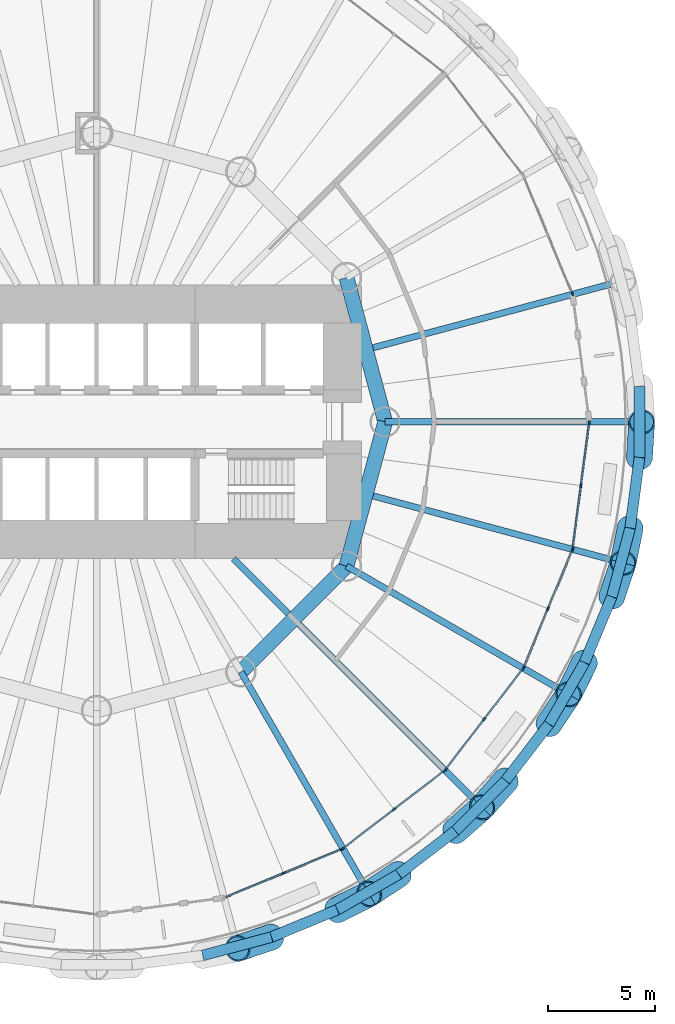
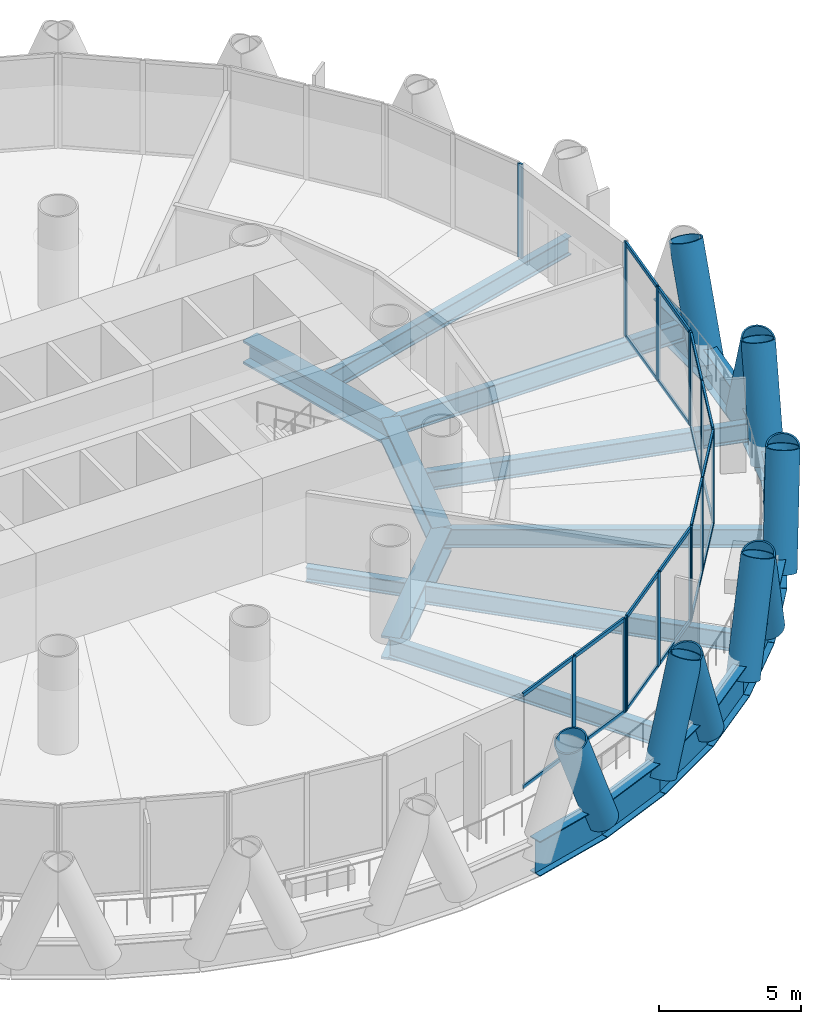
# One storey, part 4 of 15: 45 members, 21 beams, 6 elements without a shape of their own.
"""IFC4 building model written with IfcOpenShell, lengths in metres."""

from ifc_helpers import new_model, si_unit, direction, frame, origin, origin_2d, place, context, subcontext, project, spatial, rectangle, hollow_circle, i_section, extrude, material, material_profile, profile_set, type_object, element, aggregate, save


model = new_model("IFC4")

# Units and contexts
model_context = context("Model", 3, precision=1e-05, world=origin(), true_north=direction((0.0, 1.0)))
body_context = subcontext(model_context, "Body", "Model", "MODEL_VIEW")
ifc_project = project(units=[si_unit("LENGTHUNIT", "METRE"), si_unit("AREAUNIT", "SQUARE_METRE"), si_unit("VOLUMEUNIT", "CUBIC_METRE"), si_unit("PLANEANGLEUNIT", "RADIAN"), si_unit("MASSUNIT", "GRAM", prefix="KILO")], contexts=[model_context])

# Site, building, storey
site_placement = place(None, origin())
site = spatial("IfcSite", under=ifc_project, at=site_placement, CompositionType="ELEMENT")
building_placement = place(site_placement, origin())
building = spatial("IfcBuilding", under=site, at=building_placement, Name="Qaws Media Tower", CompositionType="ELEMENT")
storey_placement = place(building_placement, frame((0.0, 0.0, 72.199951171875)))
storey = spatial("IfcBuildingStorey", under=building, at=storey_placement, Name="L15", CompositionType="ELEMENT", Elevation=72.199951171875)

# Curtain wall, member
ifc_material_1 = material(Name="Aluminium and clear glass", Category="aluminium")
curtain_wall_type = type_object("IfcCurtainWallType", Name="Unitised curtain wall CW-A", PredefinedType="NOTDEFINED", material=ifc_material_1)
curtain_wall_1_placement = place(storey_placement, origin())
curtain_wall_1 = element("IfcCurtainWall", 1, at=curtain_wall_1_placement, inside=storey, type_object=curtain_wall_type, Name="CWA curtain wall L15-02", PredefinedType="NOTDEFINED")
ifc_material_2 = material(Name="Aluminium mullion", Category="aluminium")
ifc_material_profile_1 = material_profile(ifc_material_2, rectangle(XDim=0.080078125, YDim=0.199951171875, at=origin_2d()), Name="80x200")
ifc_profile_set_1 = profile_set([ifc_material_profile_1], Name="Aluminium mullion")
member_type_1 = type_object("IfcMemberType", Name="Curtain wall mullion 80x200", PredefinedType="MULLION", material=ifc_profile_set_1)
member_1_placement = place(storey_placement, frame((82.249267578125, 56.002685546875, 0.0), z_axis=(0.0, 0.0, 1.0), x_axis=(-0.923879575665, -0.382683328183, 0.0)))
member_1 = element("IfcMember", 2, at=member_1_placement, type_object=member_type_1, Name="CWA mullion 1", PredefinedType="MULLION", context=body_context, shape_type="SweptSolid", body=[
    extrude(rectangle(XDim=0.080078125, YDim=0.199951171875, at=origin_2d()), origin(), (0.0, 0.0, 1.0), 4.0400390625),
])
aggregate(curtain_wall_1, [member_1])

# Curtain wall, members
curtain_wall_2_placement = place(storey_placement, origin())
curtain_wall_2 = element("IfcCurtainWall", 3, at=curtain_wall_2_placement, inside=storey, type_object=curtain_wall_type, Name="CWA curtain wall L15-20", PredefinedType="NOTDEFINED")
member_2_placement = place(storey_placement, frame((68.745361328125, 28.88671875, 0.0), z_axis=(0.0, 0.0, 1.0), x_axis=(-0.382683328183, 0.923879575665, 0.0)))
member_2 = element("IfcMember", 4, at=member_2_placement, type_object=member_type_1, Name="CWA mullion 2", PredefinedType="MULLION", context=body_context, shape_type="SweptSolid", body=[
    extrude(rectangle(XDim=0.080078125, YDim=0.199951171875, at=origin_2d()), origin(), (0.0, 0.0, 1.0), 4.0400390625),
])
member_3_placement = place(storey_placement, frame((71.488037109375, 30.022705078125, 0.0), z_axis=(0.0, 0.0, 1.0), x_axis=(-0.382683328183, 0.923879575665, 0.0)))
member_3 = element("IfcMember", 5, at=member_3_placement, type_object=member_type_1, Name="CWA mullion 3", PredefinedType="MULLION", context=body_context, shape_type="SweptSolid", body=[
    extrude(rectangle(XDim=0.080078125, YDim=0.199951171875, at=origin_2d()), origin(), (0.0, 0.0, 1.0), 4.0400390625),
])

curtain_wall_3_placement = place(storey_placement, origin())
curtain_wall_3 = element("IfcCurtainWall", 6, at=curtain_wall_3_placement, inside=storey, type_object=curtain_wall_type, Name="CWA curtain wall L15-21", PredefinedType="NOTDEFINED")
member_4_placement = place(storey_placement, frame((71.556640625, 30.0625, 0.0), z_axis=(0.0, 0.0, 1.0), x_axis=(-0.608761531958, 0.793353261295, 0.0)))
member_4 = element("IfcMember", 7, at=member_4_placement, type_object=member_type_1, Name="CWA mullion 1", PredefinedType="MULLION", context=body_context, shape_type="SweptSolid", body=[
    extrude(rectangle(XDim=0.080078125, YDim=0.199951171875, at=origin_2d()), origin(), (0.0, 0.0, 1.0), 4.0400390625),
])
member_5_placement = place(storey_placement, frame((73.911865234375, 31.86962890625, 0.0), z_axis=(0.0, 0.0, 1.0), x_axis=(-0.608761531958, 0.793353261295, 0.0)))
member_5 = element("IfcMember", 8, at=member_5_placement, type_object=member_type_1, Name="CWA mullion 2", PredefinedType="MULLION", context=body_context, shape_type="SweptSolid", body=[
    extrude(rectangle(XDim=0.080078125, YDim=0.199951171875, at=origin_2d()), origin(), (0.0, 0.0, 1.0), 4.0400390625),
])
member_6_placement = place(storey_placement, frame((76.26708984375, 33.6767578125, 0.0), z_axis=(0.0, 0.0, 1.0), x_axis=(-0.608761531958, 0.793353261295, 0.0)))
member_6 = element("IfcMember", 9, at=member_6_placement, type_object=member_type_1, Name="CWA mullion 3", PredefinedType="MULLION", context=body_context, shape_type="SweptSolid", body=[
    extrude(rectangle(XDim=0.080078125, YDim=0.199951171875, at=origin_2d()), origin(), (0.0, 0.0, 1.0), 4.0400390625),
])

curtain_wall_4_placement = place(storey_placement, origin())
curtain_wall_4 = element("IfcCurtainWall", 10, at=curtain_wall_4_placement, inside=storey, type_object=curtain_wall_type, Name="CWA curtain wall L15-22", PredefinedType="NOTDEFINED")
member_7_placement = place(storey_placement, frame((76.3232421875, 33.73291015625, 0.0), z_axis=(0.0, 0.0, 1.0), x_axis=(-0.793353261295, 0.608761531958, 0.0)))
member_7 = element("IfcMember", 11, at=member_7_placement, type_object=member_type_1, Name="CWA mullion 1", PredefinedType="MULLION", context=body_context, shape_type="SweptSolid", body=[
    extrude(rectangle(XDim=0.080078125, YDim=0.199951171875, at=origin_2d()), origin(), (0.0, 0.0, 1.0), 4.0400390625),
])
member_8_placement = place(storey_placement, frame((78.13037109375, 36.088134765625, 0.0), z_axis=(0.0, 0.0, 1.0), x_axis=(-0.793353261295, 0.608761531958, 0.0)))
member_8 = element("IfcMember", 12, at=member_8_placement, type_object=member_type_1, Name="CWA mullion 2", PredefinedType="MULLION", context=body_context, shape_type="SweptSolid", body=[
    extrude(rectangle(XDim=0.080078125, YDim=0.199951171875, at=origin_2d()), origin(), (0.0, 0.0, 1.0), 4.0400390625),
])
member_9_placement = place(storey_placement, frame((79.9375, 38.443359375, 0.0), z_axis=(0.0, 0.0, 1.0), x_axis=(-0.793353261295, 0.608761531958, 0.0)))
member_9 = element("IfcMember", 13, at=member_9_placement, type_object=member_type_1, Name="CWA mullion 3", PredefinedType="MULLION", context=body_context, shape_type="SweptSolid", body=[
    extrude(rectangle(XDim=0.080078125, YDim=0.199951171875, at=origin_2d()), origin(), (0.0, 0.0, 1.0), 4.0400390625),
])

curtain_wall_5_placement = place(storey_placement, origin())
curtain_wall_5 = element("IfcCurtainWall", 14, at=curtain_wall_5_placement, inside=storey, type_object=curtain_wall_type, Name="CWA curtain wall L15-23", PredefinedType="NOTDEFINED")
member_10_placement = place(storey_placement, frame((79.977294921875, 38.511962890625, 0.0), z_axis=(0.0, 0.0, 1.0), x_axis=(-0.923879575665, 0.382683328183, 0.0)))
member_10 = element("IfcMember", 15, at=member_10_placement, type_object=member_type_1, Name="CWA mullion 1", PredefinedType="MULLION", context=body_context, shape_type="SweptSolid", body=[
    extrude(rectangle(XDim=0.080078125, YDim=0.199951171875, at=origin_2d()), origin(), (0.0, 0.0, 1.0), 4.0400390625),
])
member_11_placement = place(storey_placement, frame((81.11328125, 41.254638671875, 0.0), z_axis=(0.0, 0.0, 1.0), x_axis=(-0.923879575665, 0.382683328183, 0.0)))
member_11 = element("IfcMember", 16, at=member_11_placement, type_object=member_type_1, Name="CWA mullion 2", PredefinedType="MULLION", context=body_context, shape_type="SweptSolid", body=[
    extrude(rectangle(XDim=0.080078125, YDim=0.199951171875, at=origin_2d()), origin(), (0.0, 0.0, 1.0), 4.0400390625),
])
member_12_placement = place(storey_placement, frame((82.249267578125, 43.997314453125, 0.0), z_axis=(0.0, 0.0, 1.0), x_axis=(-0.923879575665, 0.382683328183, 0.0)))
member_12 = element("IfcMember", 17, at=member_12_placement, type_object=member_type_1, Name="CWA mullion 3", PredefinedType="MULLION", context=body_context, shape_type="SweptSolid", body=[
    extrude(rectangle(XDim=0.080078125, YDim=0.199951171875, at=origin_2d()), origin(), (0.0, 0.0, 1.0), 4.0400390625),
])

curtain_wall_6_placement = place(storey_placement, origin())
curtain_wall_6 = element("IfcCurtainWall", 18, at=curtain_wall_6_placement, inside=storey, type_object=curtain_wall_type, Name="CWA curtain wall L15-24", PredefinedType="NOTDEFINED")
member_13_placement = place(storey_placement, frame((82.269775390625, 44.073974609375, 0.0), z_axis=(0.0, 0.0, 1.0), x_axis=(-0.991444855038, 0.130526240342, 0.0)))
member_13 = element("IfcMember", 19, at=member_13_placement, type_object=member_type_1, Name="CWA mullion 1", PredefinedType="MULLION", context=body_context, shape_type="SweptSolid", body=[
    extrude(rectangle(XDim=0.080078125, YDim=0.199951171875, at=origin_2d()), origin(), (0.0, 0.0, 1.0), 4.0400390625),
])
member_14_placement = place(storey_placement, frame((82.6572265625, 47.01708984375, 0.0), z_axis=(0.0, 0.0, 1.0), x_axis=(-0.991444855038, 0.130526240342, 0.0)))
member_14 = element("IfcMember", 20, at=member_14_placement, type_object=member_type_1, Name="CWA mullion 2", PredefinedType="MULLION", context=body_context, shape_type="SweptSolid", body=[
    extrude(rectangle(XDim=0.080078125, YDim=0.199951171875, at=origin_2d()), origin(), (0.0, 0.0, 1.0), 4.0400390625),
])
member_15_placement = place(storey_placement, frame((83.044677734375, 49.96044921875, 0.0), z_axis=(0.0, 0.0, 1.0), x_axis=(-0.991444855038, 0.130526240342, 0.0)))
member_15 = element("IfcMember", 21, at=member_15_placement, type_object=member_type_1, Name="CWA mullion 3", PredefinedType="MULLION", context=body_context, shape_type="SweptSolid", body=[
    extrude(rectangle(XDim=0.080078125, YDim=0.199951171875, at=origin_2d()), origin(), (0.0, 0.0, 1.0), 4.0400390625),
])

# Member
ifc_material_3 = material(Name="Aluminium transom", Category="aluminium")
ifc_material_profile_2 = material_profile(ifc_material_3, rectangle(XDim=0.080078125, YDim=0.159912109375, at=origin_2d()), Name="80x160")
ifc_profile_set_2 = profile_set([ifc_material_profile_2], Name="Aluminium transom")
member_type_2 = type_object("IfcMemberType", Name="Curtain wall transom 80x160", PredefinedType="USERDEFINED", material=ifc_profile_set_2)
member_16_placement = place(storey_placement, frame((66.039794921875, 27.76611328125, 0.0400390625), z_axis=(0.923902494293, 0.382627993016, 0.0), x_axis=(-0.382627993016, 0.923902494293, 0.0)))
member_16 = element("IfcMember", 22, at=member_16_placement, type_object=member_type_2, Name="CWA transom 1.1", ObjectType="TRANSOM", PredefinedType="USERDEFINED", context=body_context, shape_type="SweptSolid", body=[
    extrude(rectangle(XDim=0.080078125, YDim=0.159912109375, at=origin_2d()), origin(), (0.0, 0.0, 1.0), 2.888427734375),
])

member_17_placement = place(storey_placement, frame((66.039794921875, 27.76611328125, 4.0), z_axis=(0.923902494293, 0.382627993016, 0.0), x_axis=(-0.382627993016, 0.923902494293, 0.0)))
member_17 = element("IfcMember", 23, at=member_17_placement, type_object=member_type_2, Name="CWA transom 1.2", ObjectType="TRANSOM", PredefinedType="USERDEFINED", context=body_context, shape_type="SweptSolid", body=[
    extrude(rectangle(XDim=0.080078125, YDim=0.159912109375, at=origin_2d()), origin(), (0.0, 0.0, 1.0), 2.888427734375),
])

member_18_placement = place(storey_placement, frame((68.7822265625, 28.902099609375, 0.0400390625), z_axis=(0.923884990322, 0.382670255779, 0.0), x_axis=(-0.382670255779, 0.923884990322, 0.0)))
member_18 = element("IfcMember", 24, at=member_18_placement, type_object=member_type_2, Name="CWA transom 2.1", ObjectType="TRANSOM", PredefinedType="USERDEFINED", context=body_context, shape_type="SweptSolid", body=[
    extrude(rectangle(XDim=0.080078125, YDim=0.159912109375, at=origin_2d()), origin(), (0.0, 0.0, 1.0), 2.888916015625),
])

member_19_placement = place(storey_placement, frame((68.7822265625, 28.902099609375, 4.0), z_axis=(0.923884990322, 0.382670255779, 0.0), x_axis=(-0.382670255779, 0.923884990322, 0.0)))
member_19 = element("IfcMember", 25, at=member_19_placement, type_object=member_type_2, Name="CWA transom 2.2", ObjectType="TRANSOM", PredefinedType="USERDEFINED", context=body_context, shape_type="SweptSolid", body=[
    extrude(rectangle(XDim=0.080078125, YDim=0.159912109375, at=origin_2d()), origin(), (0.0, 0.0, 1.0), 2.888916015625),
])

aggregate(curtain_wall_2, [member_2, member_3, member_16, member_17, member_18, member_19])

member_20_placement = place(storey_placement, frame((71.58837890625, 30.0869140625, 0.0400390625), z_axis=(0.793390013074, 0.608713633127, 0.0), x_axis=(-0.608713633127, 0.793390013074, 0.0)))
member_20 = element("IfcMember", 26, at=member_20_placement, type_object=member_type_2, Name="CWA transom 1.1", ObjectType="TRANSOM", PredefinedType="USERDEFINED", context=body_context, shape_type="SweptSolid", body=[
    extrude(rectangle(XDim=0.080078125, YDim=0.159912109375, at=origin_2d()), origin(), (0.0, 0.0, 1.0), 2.888671875),
])

member_21_placement = place(storey_placement, frame((71.58837890625, 30.0869140625, 4.0), z_axis=(0.793390013074, 0.608713633127, 0.0), x_axis=(-0.608713633127, 0.793390013074, 0.0)))
member_21 = element("IfcMember", 27, at=member_21_placement, type_object=member_type_2, Name="CWA transom 1.2", ObjectType="TRANSOM", PredefinedType="USERDEFINED", context=body_context, shape_type="SweptSolid", body=[
    extrude(rectangle(XDim=0.080078125, YDim=0.159912109375, at=origin_2d()), origin(), (0.0, 0.0, 1.0), 2.888671875),
])

member_22_placement = place(storey_placement, frame((73.943603515625, 31.89404296875, 0.0400390625), z_axis=(0.793349194644, 0.608766831684, 0.0), x_axis=(-0.608766831684, 0.793349194644, 0.0)))
member_22 = element("IfcMember", 28, at=member_22_placement, type_object=member_type_2, Name="CWA transom 2.1", ObjectType="TRANSOM", PredefinedType="USERDEFINED", context=body_context, shape_type="SweptSolid", body=[
    extrude(rectangle(XDim=0.080078125, YDim=0.159912109375, at=origin_2d()), origin(), (0.0, 0.0, 1.0), 2.888671875),
])

member_23_placement = place(storey_placement, frame((73.943603515625, 31.89404296875, 4.0), z_axis=(0.793349194644, 0.608766831684, 0.0), x_axis=(-0.608766831684, 0.793349194644, 0.0)))
member_23 = element("IfcMember", 29, at=member_23_placement, type_object=member_type_2, Name="CWA transom 2.2", ObjectType="TRANSOM", PredefinedType="USERDEFINED", context=body_context, shape_type="SweptSolid", body=[
    extrude(rectangle(XDim=0.080078125, YDim=0.159912109375, at=origin_2d()), origin(), (0.0, 0.0, 1.0), 2.888671875),
])

aggregate(curtain_wall_3, [member_4, member_5, member_6, member_20, member_21, member_22, member_23])

member_24_placement = place(storey_placement, frame((76.347412109375, 33.7646484375, 0.0400390625), z_axis=(0.608766831684, 0.793349194644, 0.0), x_axis=(-0.793349194644, 0.608766831684, 0.0)))
member_24 = element("IfcMember", 30, at=member_24_placement, type_object=member_type_2, Name="CWA transom 1.1", ObjectType="TRANSOM", PredefinedType="USERDEFINED", context=body_context, shape_type="SweptSolid", body=[
    extrude(rectangle(XDim=0.080078125, YDim=0.159912109375, at=origin_2d()), origin(), (0.0, 0.0, 1.0), 2.888671875),
])

member_25_placement = place(storey_placement, frame((76.347412109375, 33.7646484375, 4.0), z_axis=(0.608766831684, 0.793349194644, 0.0), x_axis=(-0.793349194644, 0.608766831684, 0.0)))
member_25 = element("IfcMember", 31, at=member_25_placement, type_object=member_type_2, Name="CWA transom 1.2", ObjectType="TRANSOM", PredefinedType="USERDEFINED", context=body_context, shape_type="SweptSolid", body=[
    extrude(rectangle(XDim=0.080078125, YDim=0.159912109375, at=origin_2d()), origin(), (0.0, 0.0, 1.0), 2.888671875),
])

member_26_placement = place(storey_placement, frame((78.15478515625, 36.119873046875, 0.0400390625), z_axis=(0.608713633127, 0.793390013074, 0.0), x_axis=(-0.793390013074, 0.608713633127, 0.0)))
member_26 = element("IfcMember", 32, at=member_26_placement, type_object=member_type_2, Name="CWA transom 2.1", ObjectType="TRANSOM", PredefinedType="USERDEFINED", context=body_context, shape_type="SweptSolid", body=[
    extrude(rectangle(XDim=0.080078125, YDim=0.159912109375, at=origin_2d()), origin(), (0.0, 0.0, 1.0), 2.888671875),
])

member_27_placement = place(storey_placement, frame((78.15478515625, 36.119873046875, 4.0), z_axis=(0.608713633127, 0.793390013074, 0.0), x_axis=(-0.793390013074, 0.608713633127, 0.0)))
member_27 = element("IfcMember", 33, at=member_27_placement, type_object=member_type_2, Name="CWA transom 2.2", ObjectType="TRANSOM", PredefinedType="USERDEFINED", context=body_context, shape_type="SweptSolid", body=[
    extrude(rectangle(XDim=0.080078125, YDim=0.159912109375, at=origin_2d()), origin(), (0.0, 0.0, 1.0), 2.888671875),
])

aggregate(curtain_wall_4, [member_7, member_8, member_9, member_24, member_25, member_26, member_27])

member_28_placement = place(storey_placement, frame((79.992431640625, 38.548828125, 0.0400390625), z_axis=(0.382670255779, 0.923884990322, 0.0), x_axis=(-0.923884990322, 0.382670255779, 0.0)))
member_28 = element("IfcMember", 34, at=member_28_placement, type_object=member_type_2, Name="CWA transom 1.1", ObjectType="TRANSOM", PredefinedType="USERDEFINED", context=body_context, shape_type="SweptSolid", body=[
    extrude(rectangle(XDim=0.080078125, YDim=0.159912109375, at=origin_2d()), origin(), (0.0, 0.0, 1.0), 2.888916015625),
])

member_29_placement = place(storey_placement, frame((79.992431640625, 38.548828125, 4.0), z_axis=(0.382670255779, 0.923884990322, 0.0), x_axis=(-0.923884990322, 0.382670255779, 0.0)))
member_29 = element("IfcMember", 35, at=member_29_placement, type_object=member_type_2, Name="CWA transom 1.2", ObjectType="TRANSOM", PredefinedType="USERDEFINED", context=body_context, shape_type="SweptSolid", body=[
    extrude(rectangle(XDim=0.080078125, YDim=0.159912109375, at=origin_2d()), origin(), (0.0, 0.0, 1.0), 2.888916015625),
])

member_30_placement = place(storey_placement, frame((81.128662109375, 41.29150390625, 0.0400390625), z_axis=(0.382627993016, 0.923902494293, 0.0), x_axis=(-0.923902494293, 0.382627993016, 0.0)))
member_30 = element("IfcMember", 36, at=member_30_placement, type_object=member_type_2, Name="CWA transom 2.1", ObjectType="TRANSOM", PredefinedType="USERDEFINED", context=body_context, shape_type="SweptSolid", body=[
    extrude(rectangle(XDim=0.080078125, YDim=0.159912109375, at=origin_2d()), origin(), (0.0, 0.0, 1.0), 2.888427734375),
])

member_31_placement = place(storey_placement, frame((81.128662109375, 41.29150390625, 4.0), z_axis=(0.382627993016, 0.923902494293, 0.0), x_axis=(-0.923902494293, 0.382627993016, 0.0)))
member_31 = element("IfcMember", 37, at=member_31_placement, type_object=member_type_2, Name="CWA transom 2.2", ObjectType="TRANSOM", PredefinedType="USERDEFINED", context=body_context, shape_type="SweptSolid", body=[
    extrude(rectangle(XDim=0.080078125, YDim=0.159912109375, at=origin_2d()), origin(), (0.0, 0.0, 1.0), 2.888427734375),
])

aggregate(curtain_wall_5, [member_10, member_11, member_12, member_28, member_29, member_30, member_31])

member_32_placement = place(storey_placement, frame((82.275146484375, 44.113525390625, 0.0400390625), z_axis=(0.130491678516, 0.991449404578, 0.0), x_axis=(-0.991449404578, 0.130491678516, 0.0)))
member_32 = element("IfcMember", 38, at=member_32_placement, type_object=member_type_2, Name="CWA transom 1.1", ObjectType="TRANSOM", PredefinedType="USERDEFINED", context=body_context, shape_type="SweptSolid", body=[
    extrude(rectangle(XDim=0.080078125, YDim=0.159912109375, at=origin_2d()), origin(), (0.0, 0.0, 1.0), 2.888671875),
])

member_33_placement = place(storey_placement, frame((82.275146484375, 44.113525390625, 4.0), z_axis=(0.130491678516, 0.991449404578, 0.0), x_axis=(-0.991449404578, 0.130491678516, 0.0)))
member_33 = element("IfcMember", 39, at=member_33_placement, type_object=member_type_2, Name="CWA transom 1.2", ObjectType="TRANSOM", PredefinedType="USERDEFINED", context=body_context, shape_type="SweptSolid", body=[
    extrude(rectangle(XDim=0.080078125, YDim=0.159912109375, at=origin_2d()), origin(), (0.0, 0.0, 1.0), 2.888671875),
])

member_34_placement = place(storey_placement, frame((82.66259765625, 47.056884765625, 0.0400390625), z_axis=(0.130502613671, 0.991447965263, 0.0), x_axis=(-0.991447965263, 0.130502613671, 0.0)))
member_34 = element("IfcMember", 40, at=member_34_placement, type_object=member_type_2, Name="CWA transom 2.1", ObjectType="TRANSOM", PredefinedType="USERDEFINED", context=body_context, shape_type="SweptSolid", body=[
    extrude(rectangle(XDim=0.080078125, YDim=0.159912109375, at=origin_2d()), origin(), (0.0, 0.0, 1.0), 2.888427734375),
])

member_35_placement = place(storey_placement, frame((82.66259765625, 47.056884765625, 4.0), z_axis=(0.130502613671, 0.991447965263, 0.0), x_axis=(-0.991447965263, 0.130502613671, 0.0)))
member_35 = element("IfcMember", 41, at=member_35_placement, type_object=member_type_2, Name="CWA transom 2.2", ObjectType="TRANSOM", PredefinedType="USERDEFINED", context=body_context, shape_type="SweptSolid", body=[
    extrude(rectangle(XDim=0.080078125, YDim=0.159912109375, at=origin_2d()), origin(), (0.0, 0.0, 1.0), 2.888427734375),
])

aggregate(curtain_wall_6, [member_13, member_14, member_15, member_32, member_33, member_34, member_35])

# Members
ifc_material_4 = material(Name="Steel S460", Category="steel")
ifc_material_profile_3 = material_profile(ifc_material_4, hollow_circle(Radius=0.609619140625, WallThickness=0.06005859375, at=origin_2d()), Name="CHS 1219x60")
ifc_profile_set_3 = profile_set([ifc_material_profile_3], Name="Steel S460")
member_type_3 = type_object("IfcMemberType", Name="Diagrid member CHS 1219x60", PredefinedType="USERDEFINED", material=ifc_profile_set_3)
for number, where, z_axis, x_axis, name in (
    (42, (71.25634765625, 27.174560546875, -0.909912109375), (0.330532493562, 0.164131695888, 0.92941328649), (-0.444752444244, 0.89565353979, 0.0), "DG1 diagrid L15 A20"),
    (43, (68.1806640625, 25.900634765625, -0.909912109375), (-0.349814783649, -0.117667428384, 0.929399802797), (0.318817528008, -0.94781611288, 0.0), "DG1 diagrid L15 B20"),
    (44, (76.7802734375, 30.86572265625, -0.909912109375), (0.276827051791, 0.244087552691, 0.929401985159), (-0.661360157276, 0.750068491784, 0.0), "DG1 diagrid L15 A21"),
    (45, (74.13916015625, 28.839111328125, -0.909912109375), (-0.307406963447, -0.204217631253, 0.929406325516), (0.553348187094, -0.832950048826, 0.0), "DG1 diagrid L15 B21"),
    (46, (81.160888671875, 35.86083984375, -0.909912109375), (0.204217631253, 0.307406963447, 0.929406325516), (-0.832950048826, 0.553348187094, 0.0), "DG1 diagrid L15 A22"),
    (47, (79.13427734375, 33.2197265625, -0.909912109375), (-0.244087552691, -0.276827051791, 0.929401985159), (0.750068491784, -0.661360157276, 0.0), "DG1 diagrid L15 B22"),
    (48, (84.099365234375, 41.8193359375, -0.909912109375), (0.117667428384, 0.349814783649, 0.929399802797), (-0.94781611288, 0.318817528008, 0.0), "DG1 diagrid L15 A23"),
    (49, (82.825439453125, 38.74365234375, -0.909912109375), (-0.164131695888, -0.330532493562, 0.92941328649), (0.89565353979, -0.444752444244, 0.0), "DG1 diagrid L15 B23"),
    (50, (85.3955078125, 48.33544921875, -0.909912109375), (0.023122926042, 0.368346050821, 0.929401160498), (-0.998035453592, 0.062651682918, 0.0), "DG1 diagrid L15 A24"),
    (51, (84.9609375, 45.034912109375, -0.909912109375), (-0.072989201231, -0.36175846887, 0.929410235958), (0.980247069572, -0.197776850506, 0.0), "DG1 diagrid L15 B24"),
):
    element("IfcMember", number, at=place(storey_placement, frame(where, z_axis=z_axis, x_axis=x_axis)), inside=storey, type_object=member_type_3, Name=name, ObjectType="DIAGRID", PredefinedType="USERDEFINED", context=body_context, shape_type="SweptSolid", body=[
        extrude(hollow_circle(Radius=0.609619140625, WallThickness=0.06005859375, at=origin_2d()), origin(), (0.0, 0.0, 1.0), 4.51904296875),
    ])

# Beams
ifc_material_5 = material(Name="Steel S460", Category="steel")
ifc_material_profile_4 = material_profile(ifc_material_5, i_section(OverallWidth=0.5, OverallDepth=1.5, WebThickness=0.02001953125, FlangeThickness=0.0400390625, at=origin_2d()), Name="PG 1500x500")
ifc_profile_set_4 = profile_set([ifc_material_profile_4], Name="Steel S460")
beam_type_1 = type_object("IfcBeamType", Name="Edge ring beam PG 1500x500", PredefinedType="BEAM", material=ifc_profile_set_4)
for number, where, z_axis, x_axis, name in (
    (52, (64.965087890625, 25.0390625, -0.909912109375), (0.965928737976, 0.258808178295, 0.0), (-0.258808178295, 0.965928737976, 0.0), "RB4 edge ring beam L15-38"),
    (53, (68.1806640625, 25.900634765625, -0.909912109375), (0.923886337442, 0.382667003395, 0.0), (-0.382667003395, 0.923886337442, 0.0), "RB4 edge ring beam L15-39"),
):
    element("IfcBeam", number, at=place(storey_placement, frame(where, z_axis=z_axis, x_axis=x_axis)), inside=storey, type_object=beam_type_1, Name=name, PredefinedType="BEAM", context=body_context, shape_type="SweptSolid", body=[
        extrude(i_section(OverallWidth=0.5, OverallDepth=1.5, WebThickness=0.02001953125, FlangeThickness=0.0400390625, at=origin_2d()), origin(), (0.0, 0.0, 1.0), 3.3291015625),
    ])
beam_1_placement = place(storey_placement, frame((71.25634765625, 27.174560546875, -0.909912109375), z_axis=(0.866004823592, 0.500035644245, 0.0), x_axis=(-0.500035644245, 0.866004823592, 0.0)))
element("IfcBeam", 54, at=beam_1_placement, inside=storey, type_object=beam_type_1, Name="RB4 edge ring beam L15-40", PredefinedType="BEAM", context=body_context, shape_type="SweptSolid", body=[
    extrude(i_section(OverallWidth=0.5, OverallDepth=1.5, WebThickness=0.02001953125, FlangeThickness=0.0400390625, at=origin_2d()), origin(), (0.0, 0.0, 1.0), 3.328857421875),
])
for number, where, z_axis, x_axis, name in (
    (55, (74.13916015625, 28.839111328125, -0.909912109375), (0.79335133403, 0.608764043611, 0.0), (-0.608764043611, 0.79335133403, 0.0), "RB4 edge ring beam L15-41"),
    (56, (76.7802734375, 30.86572265625, -0.909912109375), (0.707106781187, 0.707106781187, 0.0), (-0.707106781187, 0.707106781187, 0.0), "RB4 edge ring beam L15-42"),
    (57, (79.13427734375, 33.2197265625, -0.909912109375), (0.608764043611, 0.79335133403, 0.0), (-0.79335133403, 0.608764043611, 0.0), "RB4 edge ring beam L15-43"),
):
    element("IfcBeam", number, at=place(storey_placement, frame(where, z_axis=z_axis, x_axis=x_axis)), inside=storey, type_object=beam_type_1, Name=name, PredefinedType="BEAM", context=body_context, shape_type="SweptSolid", body=[
        extrude(i_section(OverallWidth=0.5, OverallDepth=1.5, WebThickness=0.02001953125, FlangeThickness=0.0400390625, at=origin_2d()), origin(), (0.0, 0.0, 1.0), 3.3291015625),
    ])
beam_2_placement = place(storey_placement, frame((81.160888671875, 35.86083984375, -0.909912109375), z_axis=(0.500035644245, 0.866004823592, 0.0), x_axis=(-0.866004823592, 0.500035644245, 0.0)))
element("IfcBeam", 58, at=beam_2_placement, inside=storey, type_object=beam_type_1, Name="RB4 edge ring beam L15-44", PredefinedType="BEAM", context=body_context, shape_type="SweptSolid", body=[
    extrude(i_section(OverallWidth=0.5, OverallDepth=1.5, WebThickness=0.02001953125, FlangeThickness=0.0400390625, at=origin_2d()), origin(), (0.0, 0.0, 1.0), 3.328857421875),
])
for number, where, z_axis, x_axis, name in (
    (59, (82.825439453125, 38.74365234375, -0.909912109375), (0.382667003395, 0.923886337442, 0.0), (-0.923886337442, 0.382667003395, 0.0), "RB4 edge ring beam L15-45"),
    (60, (84.099365234375, 41.8193359375, -0.909912109375), (0.258808178295, 0.965928737976, 0.0), (-0.965928737976, 0.258808178295, 0.0), "RB4 edge ring beam L15-46"),
    (61, (84.9609375, 45.034912109375, -0.909912109375), (0.130539880563, 0.991443059173, 0.0), (-0.991443059173, 0.130539880563, 0.0), "RB4 edge ring beam L15-47"),
    (62, (85.3955078125, 48.33544921875, -0.909912109375), (0.0, 1.0, 0.0), (-1.0, 0.0, 0.0), "RB4 edge ring beam L15-48"),
):
    element("IfcBeam", number, at=place(storey_placement, frame(where, z_axis=z_axis, x_axis=x_axis)), inside=storey, type_object=beam_type_1, Name=name, PredefinedType="BEAM", context=body_context, shape_type="SweptSolid", body=[
        extrude(i_section(OverallWidth=0.5, OverallDepth=1.5, WebThickness=0.02001953125, FlangeThickness=0.0400390625, at=origin_2d()), origin(), (0.0, 0.0, 1.0), 3.3291015625),
    ])
ifc_material_6 = material(Name="Steel S460", Category="steel")
ifc_material_profile_5 = material_profile(ifc_material_6, i_section(OverallWidth=0.699951171875, OverallDepth=1.0, WebThickness=0.034912109375, FlangeThickness=0.090087890625, at=origin_2d()), Name="PG 1000x700")
ifc_profile_set_5 = profile_set([ifc_material_profile_5], Name="Steel S460")
beam_type_2 = type_object("IfcBeamType", Name="Inner ring girder PG 1000x700", PredefinedType="BEAM", material=ifc_profile_set_5)
beam_3_placement = place(storey_placement, frame((73.5, 50.0, -0.659912109375), z_axis=(-0.258810593767, 0.965928090778, 0.0), x_axis=(-0.965928090778, -0.258810593767, 0.0)))
element("IfcBeam", 63, at=beam_3_placement, inside=storey, type_object=beam_type_2, Name="B3 inner ring beam L15 I01-I02", PredefinedType="BEAM", context=body_context, shape_type="SweptSolid", body=[
    extrude(i_section(OverallWidth=0.699951171875, OverallDepth=1.0, WebThickness=0.034912109375, FlangeThickness=0.090087890625, at=origin_2d()), origin(), (0.0, 0.0, 1.0), 6.988037109375),
])
beam_4_placement = place(storey_placement, frame((66.75, 38.30859375, -0.659912109375), z_axis=(0.707106781187, 0.707106781187, 0.0), x_axis=(-0.707106781187, 0.707106781187, 0.0)))
element("IfcBeam", 64, at=beam_4_placement, inside=storey, type_object=beam_type_2, Name="B3 inner ring beam L15 I11-I12", PredefinedType="BEAM", context=body_context, shape_type="SweptSolid", body=[
    extrude(i_section(OverallWidth=0.699951171875, OverallDepth=1.0, WebThickness=0.034912109375, FlangeThickness=0.090087890625, at=origin_2d()), origin(), (0.0, 0.0, 1.0), 6.98828125),
])
beam_5_placement = place(storey_placement, frame((71.69140625, 43.25, -0.659912109375), z_axis=(0.258810593767, 0.965928090778, 0.0), x_axis=(-0.965928090778, 0.258810593767, 0.0)))
element("IfcBeam", 65, at=beam_5_placement, inside=storey, type_object=beam_type_2, Name="B3 inner ring beam L15 I12-I01", PredefinedType="BEAM", context=body_context, shape_type="SweptSolid", body=[
    extrude(i_section(OverallWidth=0.699951171875, OverallDepth=1.0, WebThickness=0.034912109375, FlangeThickness=0.090087890625, at=origin_2d()), origin(), (0.0, 0.0, 1.0), 6.988037109375),
])
ifc_material_7 = material(Name="Steel S355", Category="steel")
ifc_material_profile_6 = material_profile(ifc_material_7, i_section(OverallWidth=0.304931640625, OverallDepth=0.6201171875, WebThickness=0.02099609375, FlangeThickness=0.0400390625, FilletRadius=0.027099609375, at=origin_2d()), Name="HE 600 M")
ifc_profile_set_6 = profile_set([ifc_material_profile_6], Name="Steel S355")
beam_type_3 = type_object("IfcBeamType", Name="Radial beam HE 600 M, core side", PredefinedType="BEAM", material=ifc_profile_set_6)
beam_6_placement = place(storey_placement, frame((66.39990234375, 43.60009765625, -0.469970703125), z_axis=(0.707106781187, -0.707106781187, 0.0), x_axis=(0.707106781187, 0.707106781187, 0.0)))
element("IfcBeam", 66, at=beam_6_placement, inside=storey, type_object=beam_type_3, Name="B2 radial beam L15 22", PredefinedType="BEAM", context=body_context, shape_type="SweptSolid", body=[
    extrude(i_section(OverallWidth=0.304931640625, OverallDepth=0.6201171875, WebThickness=0.02099609375, FlangeThickness=0.0400390625, FilletRadius=0.027099609375, at=origin_2d()), origin(), (0.0, 0.0, 1.0), 3.63916015625),
])
ifc_material_8 = material(Name="Steel S355", Category="steel")
ifc_material_profile_7 = material_profile(ifc_material_8, i_section(OverallWidth=0.300048828125, OverallDepth=0.800048828125, WebThickness=0.017578125, FlangeThickness=0.032958984375, FilletRadius=0.030029296875, at=origin_2d()), Name="HE 800 B")
ifc_profile_set_7 = profile_set([ifc_material_profile_7], Name="Steel S355")
beam_type_4 = type_object("IfcBeamType", Name="Radial beam HE 800 B", PredefinedType="BEAM", material=ifc_profile_set_7)
beam_7_placement = place(storey_placement, frame((73.5, 50.0, -0.56005859375), z_axis=(1.0, 0.0, 0.0), x_axis=(0.0, 1.0, 0.0)))
element("IfcBeam", 67, at=beam_7_placement, inside=storey, type_object=beam_type_4, Name="B1 radial beam L15 01", PredefinedType="BEAM", context=body_context, shape_type="SweptSolid", body=[
    extrude(i_section(OverallWidth=0.300048828125, OverallDepth=0.800048828125, WebThickness=0.017578125, FlangeThickness=0.032958984375, FilletRadius=0.030029296875, at=origin_2d()), origin(), (0.0, 0.0, 1.0), 11.8955078125),
])
beam_8_placement = place(storey_placement, frame((72.933837890625, 53.465576171875, -0.56005859375), z_axis=(0.965927446476, 0.258812998406, 0.0), x_axis=(-0.258812998406, 0.965927446476, 0.0)))
element("IfcBeam", 68, at=beam_8_placement, inside=storey, type_object=beam_type_4, Name="B1 radial beam L15 02", PredefinedType="BEAM", context=body_context, shape_type="SweptSolid", body=[
    extrude(i_section(OverallWidth=0.300048828125, OverallDepth=0.800048828125, WebThickness=0.017578125, FlangeThickness=0.032958984375, FilletRadius=0.030029296875, at=origin_2d()), origin(), (0.0, 0.0, 1.0), 12.005615234375),
])
beam_9_placement = place(storey_placement, frame((66.75, 38.30859375, -0.56005859375), z_axis=(0.500001970923, -0.866024265868, 0.0), x_axis=(0.866024265868, 0.500001970923, 0.0)))
element("IfcBeam", 69, at=beam_9_placement, inside=storey, type_object=beam_type_4, Name="B1 radial beam L15 21", PredefinedType="BEAM", context=body_context, shape_type="SweptSolid", body=[
    extrude(i_section(OverallWidth=0.300048828125, OverallDepth=0.800048828125, WebThickness=0.017578125, FlangeThickness=0.032958984375, FilletRadius=0.030029296875, at=origin_2d()), origin(), (0.0, 0.0, 1.0), 11.8955078125),
])
beam_10_placement = place(storey_placement, frame((69.46826171875, 40.53173828125, -0.56005859375), z_axis=(0.707106781187, -0.707106781187, 0.0), x_axis=(0.707106781187, 0.707106781187, 0.0)))
element("IfcBeam", 70, at=beam_10_placement, inside=storey, type_object=beam_type_4, Name="B1 radial beam L15 22", PredefinedType="BEAM", context=body_context, shape_type="SweptSolid", body=[
    extrude(i_section(OverallWidth=0.300048828125, OverallDepth=0.800048828125, WebThickness=0.017578125, FlangeThickness=0.032958984375, FilletRadius=0.030029296875, at=origin_2d()), origin(), (0.0, 0.0, 1.0), 12.00537109375),
])
beam_11_placement = place(storey_placement, frame((71.69140625, 43.25, -0.56005859375), z_axis=(0.866024265868, -0.500001970923, 0.0), x_axis=(0.500001970923, 0.866024265868, 0.0)))
element("IfcBeam", 71, at=beam_11_placement, inside=storey, type_object=beam_type_4, Name="B1 radial beam L15 23", PredefinedType="BEAM", context=body_context, shape_type="SweptSolid", body=[
    extrude(i_section(OverallWidth=0.300048828125, OverallDepth=0.800048828125, WebThickness=0.017578125, FlangeThickness=0.032958984375, FilletRadius=0.030029296875, at=origin_2d()), origin(), (0.0, 0.0, 1.0), 11.8955078125),
])
beam_12_placement = place(storey_placement, frame((72.933837890625, 46.534423828125, -0.56005859375), z_axis=(0.965927446476, -0.258812998406, 0.0), x_axis=(0.258812998406, 0.965927446476, 0.0)))
element("IfcBeam", 72, at=beam_12_placement, inside=storey, type_object=beam_type_4, Name="B1 radial beam L15 24", PredefinedType="BEAM", context=body_context, shape_type="SweptSolid", body=[
    extrude(i_section(OverallWidth=0.300048828125, OverallDepth=0.800048828125, WebThickness=0.017578125, FlangeThickness=0.032958984375, FilletRadius=0.030029296875, at=origin_2d()), origin(), (0.0, 0.0, 1.0), 12.005615234375),
])

save(model, "model.ifc")
